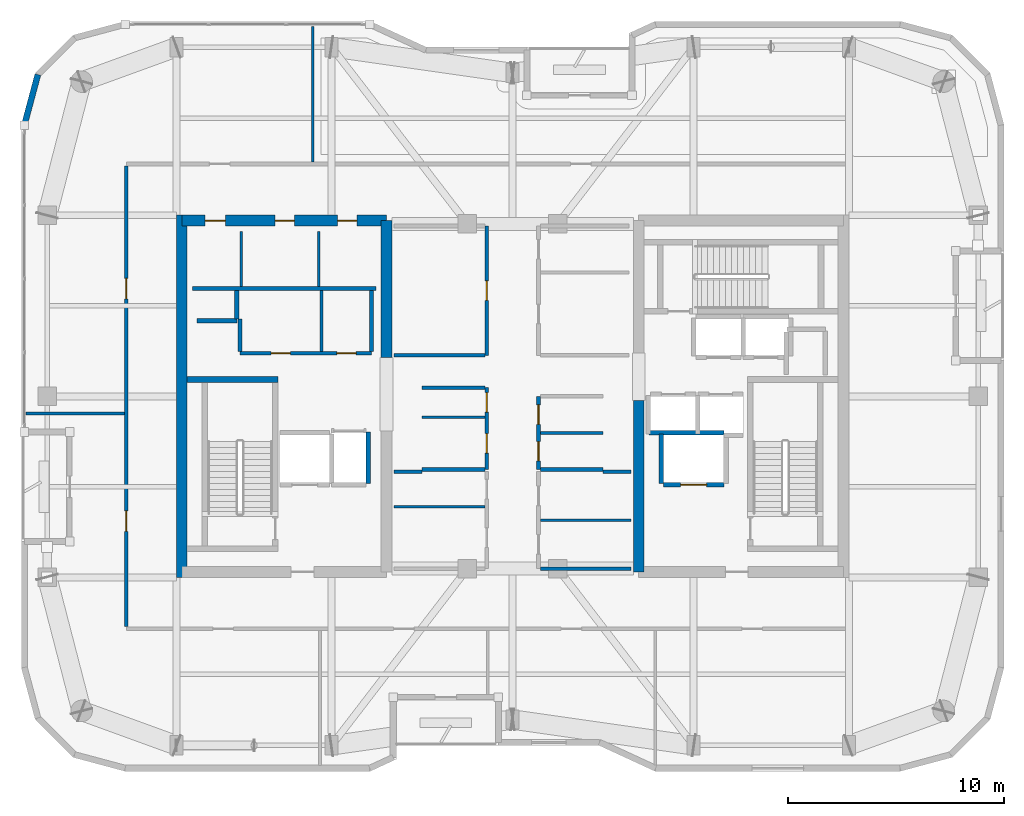
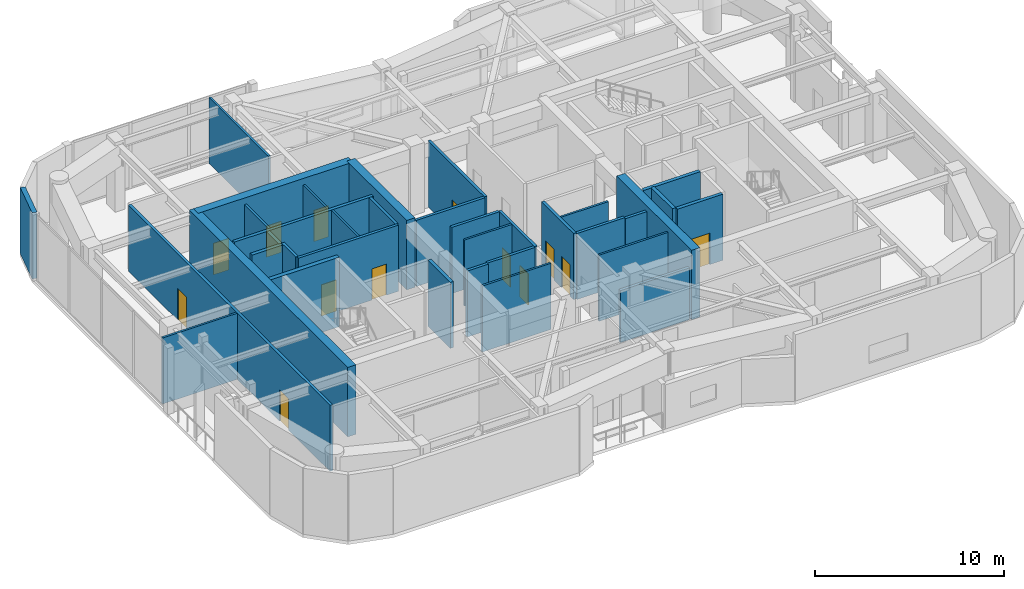
# One storey, part 11 of 16: 36 walls, 13 doors, 13 openings.
"""IFC4 building model written with IfcOpenShell, lengths in metres."""

from ifc_helpers import new_model, si_unit, direction, frame, frame_2d, origin, place, context, subcontext, project, spatial, rectangle, extrude, material, layer, layer_set, type_object, element, fill, save


model = new_model("IFC4")

# Units and contexts
model_context = context("Model", 3, precision=1e-05, world=origin(), true_north=direction((0.0, 1.0)))
body_context = subcontext(model_context, "Body", "Model", "MODEL_VIEW")
ifc_project = project(units=[si_unit("LENGTHUNIT", "METRE"), si_unit("AREAUNIT", "SQUARE_METRE"), si_unit("VOLUMEUNIT", "CUBIC_METRE"), si_unit("PLANEANGLEUNIT", "RADIAN"), si_unit("MASSUNIT", "GRAM", prefix="KILO")], contexts=[model_context])

# Site, building, storey
site_placement = place(None, origin())
site = spatial("IfcSite", under=ifc_project, at=site_placement, CompositionType="ELEMENT")
building_placement = place(site_placement, origin())
building = spatial("IfcBuilding", under=site, at=building_placement, Name="Kiyonajd Concourse Tower", CompositionType="ELEMENT")
storey_placement = place(building_placement, frame((0.0, 0.0, 337.5)))
storey = spatial("IfcBuildingStorey", under=building, at=storey_placement, Name="L85", CompositionType="ELEMENT", Elevation=337.5)

# Walls
ifc_material_1 = material(Name="Concrete C60/75", Category="concrete")
ifc_layer_1 = layer(ifc_material_1, 0.5)
ifc_layer_set_1 = layer_set([ifc_layer_1], Name="Concrete C60/75")
wall_type_1 = type_object("IfcWallType", Name="WL-CORE-500", PredefinedType="SHEAR", material=ifc_layer_set_1)
wall_1_placement = place(storey_placement, frame((32.64990234375, 27.60009765625, 0.0), z_axis=(0.0, 0.0, 1.0), x_axis=(0.0, 1.0, 0.0)))
element("IfcWall", 1, at=wall_1_placement, inside=storey, type_object=wall_type_1, Name="L85 West Core Outer Shear Wall", PredefinedType="SHEAR", context=body_context, shape_type="SweptSolid", body=[
    extrude(rectangle(XDim=16.7998046875, YDim=0.5, at=frame_2d((8.39990234375, 0.0))), origin(), (0.0, 0.0, 1.0), 4.5),
])
wall_2_placement = place(storey_placement, frame((42.14990234375, 37.800048828125, 0.0), z_axis=(0.0, 0.0, 1.0), x_axis=(0.0, 1.0, 0.0)))
element("IfcWall", 2, at=wall_2_placement, inside=storey, type_object=wall_type_1, Name="L85 West Core Inner North Shear Wall", PredefinedType="SHEAR", context=body_context, shape_type="SweptSolid", body=[
    extrude(rectangle(XDim=6.349853515625, YDim=0.5, at=frame_2d((3.1748046875, 0.0))), origin(), (0.0, 0.0, 1.0), 4.5),
])

# Wall, openings, doors
wall_3_placement = place(storey_placement, frame((32.64990234375, 44.14990234375, 0.0), z_axis=(0.0, 0.0, 1.0), x_axis=(1.0, 0.0, 0.0)))
wall_3 = element("IfcWall", 3, at=wall_3_placement, inside=storey, type_object=wall_type_1, Name="L85 West Core North Shear Wall", PredefinedType="SHEAR", context=body_context, shape_type="SweptSolid", body=[
    extrude(rectangle(XDim=9.5, YDim=0.5, at=frame_2d((4.75, 0.0))), origin(), (0.0, 0.0, 1.0), 4.5),
])
opening_1_placement = place(wall_3_placement, frame((1.074951171875, 0.0, 0.0)))
opening_1 = element("IfcOpeningElement", 4, at=opening_1_placement, cuts=wall_3, Name="Opening DI1", PredefinedType="OPENING", context=body_context, shape_type="SweptSolid", body=[
    extrude(rectangle(XDim=0.949951171875, YDim=2.0400390625, at=frame_2d((0.47509765625, 1.02001953125))), frame((0.0, 0.260009765625, 0.0), z_axis=(0.0, -1.0, 0.0), x_axis=(1.0, 0.0, 0.0)), (0.0, 0.0, 1.0), 0.52001953125),
])
opening_2_placement = place(wall_3_placement, frame((4.324951171875, 0.0, 0.0)))
opening_2 = element("IfcOpeningElement", 5, at=opening_2_placement, cuts=wall_3, Name="Opening DI2", PredefinedType="OPENING", context=body_context, shape_type="SweptSolid", body=[
    extrude(rectangle(XDim=0.89990234375, YDim=2.02001953125, at=frame_2d((0.449951171875, 1.010009765625))), frame((0.0, 0.260009765625, 0.0), z_axis=(0.0, -1.0, 0.0), x_axis=(1.0, 0.0, 0.0)), (0.0, 0.0, 1.0), 0.52001953125),
])
opening_3_placement = place(wall_3_placement, frame((7.22509765625, 0.0, 0.0)))
opening_3 = element("IfcOpeningElement", 6, at=opening_3_placement, cuts=wall_3, Name="Opening DI2", PredefinedType="OPENING", context=body_context, shape_type="SweptSolid", body=[
    extrude(rectangle(XDim=0.89990234375, YDim=2.02001953125, at=frame_2d((0.449951171875, 1.010009765625))), frame((0.0, 0.260009765625, 0.0), z_axis=(0.0, -1.0, 0.0), x_axis=(1.0, 0.0, 0.0)), (0.0, 0.0, 1.0), 0.52001953125),
])
ifc_material_2 = material(Name="Natural Oak Acoustic Timber Veneer", Category="wood")
door_type_1 = type_object("IfcDoorType", Name="DR-INT-900", OperationType="NOTDEFINED", PredefinedType="DOOR", material=ifc_material_2)
door_1_placement = place(opening_2_placement, origin())
door_1 = element("IfcDoor", 7, at=door_1_placement, inside=storey, type_object=door_type_1, Name="L85 Male Restroom Door", OperationType="SINGLE_SWING_RIGHT", OverallHeight=2.02001953125, OverallWidth=0.89990234375, PredefinedType="DOOR", context=body_context, shape_type="SweptSolid", body=[
    extrude(rectangle(XDim=0.89990234375, YDim=2.02001953125, at=frame_2d((0.449951171875, 1.010009765625))), frame((0.0, 0.02490234375, 0.0), z_axis=(0.0, -1.0, 0.0), x_axis=(1.0, 0.0, 0.0)), (0.0, 0.0, 1.0), 0.050048828125),
])
fill(opening_2, door_1)
door_2_placement = place(opening_3_placement, origin())
door_2 = element("IfcDoor", 8, at=door_2_placement, inside=storey, type_object=door_type_1, Name="L85 Female Restroom Door", OperationType="SINGLE_SWING_LEFT", OverallHeight=2.02001953125, OverallWidth=0.89990234375, PredefinedType="DOOR", context=body_context, shape_type="SweptSolid", body=[
    extrude(rectangle(XDim=0.89990234375, YDim=2.02001953125, at=frame_2d((0.449951171875, 1.010009765625))), frame((0.0, 0.02490234375, 0.0), z_axis=(0.0, -1.0, 0.0), x_axis=(1.0, 0.0, 0.0)), (0.0, 0.0, 1.0), 0.050048828125),
])
fill(opening_3, door_2)
door_type_2 = type_object("IfcDoorType", Name="DR-INT-950", OperationType="NOTDEFINED", PredefinedType="DOOR", material=ifc_material_2)
door_3_placement = place(opening_1_placement, origin())
door_3 = element("IfcDoor", 9, at=door_3_placement, inside=storey, type_object=door_type_2, Name="L85 Single User Accessible WC Door", OperationType="SINGLE_SWING_LEFT", OverallHeight=2.0400390625, OverallWidth=0.949951171875, PredefinedType="DOOR", context=body_context, shape_type="SweptSolid", body=[
    extrude(rectangle(XDim=0.949951171875, YDim=2.0400390625, at=frame_2d((0.47509765625, 1.02001953125))), frame((0.0, 0.02490234375, 0.0), z_axis=(0.0, -1.0, 0.0), x_axis=(1.0, 0.0, 0.0)), (0.0, 0.0, 1.0), 0.050048828125),
])
fill(opening_1, door_3)

# Walls
wall_4_placement = place(storey_placement, frame((53.85009765625, 27.85009765625, 0.0), z_axis=(0.0, 0.0, 1.0), x_axis=(0.0, 1.0, 0.0)))
element("IfcWall", 10, at=wall_4_placement, inside=storey, type_object=wall_type_1, Name="L85 East Core Inner South Shear Wall", PredefinedType="SHEAR", context=body_context, shape_type="SweptSolid", body=[
    extrude(rectangle(XDim=7.949951171875, YDim=0.5, at=frame_2d((3.97509765625, 0.0))), origin(), (0.0, 0.0, 1.0), 4.5),
])
ifc_material_3 = material(Name="Precast concrete C50/60", Category="concrete")
ifc_layer_2 = layer(ifc_material_3, 0.280029296875)
ifc_layer_set_2 = layer_set([ifc_layer_2], Name="Precast concrete C50/60")
wall_type_2 = type_object("IfcWallType", Name="WL-EXT-280", PredefinedType="SOLIDWALL", material=ifc_layer_set_2)
wall_5_placement = place(storey_placement, frame((25.340087890625, 48.58154296875, 0.0), z_axis=(0.0, 0.0, 1.0), x_axis=(0.258751159445, 0.965944013639, 0.0)))
element("IfcWall", 11, at=wall_5_placement, inside=storey, type_object=wall_type_2, Name="L85 Exterior Concrete Frame Wall 06", PredefinedType="SOLIDWALL", context=body_context, shape_type="SweptSolid", body=[
    extrude(rectangle(XDim=2.4287109375, YDim=0.280029296875, at=frame_2d((1.21435546875, 0.0))), origin(), (0.0, 0.0, 1.0), 4.280029296875),
])
ifc_material_4 = material(Name="Gypsum Board on Cold-Formed Steel Stud", Category="steel")
ifc_layer_3 = layer(ifc_material_4, 0.125)
ifc_layer_set_3 = layer_set([ifc_layer_3], Name="Gypsum Board on Cold-Formed Steel Stud")
wall_type_3 = type_object("IfcWallType", Name="WL-PART-125", PredefinedType="PARTITIONING", material=ifc_layer_set_3)
for number, where, z_axis, x_axis, name in (
    (12, (35.39990234375, 41.094970703125, 0.0), (0.0, 0.0, 1.0), (0.0, 1.0, 0.0), "L85 Interior Partition Wall"),
    (13, (39.0, 41.094970703125, 0.0), (0.0, 0.0, 1.0), (0.0, 1.0, 0.0), "L85 Interior Partition Wall"),
):
    element("IfcWall", number, at=place(storey_placement, frame(where, z_axis=z_axis, x_axis=x_axis)), inside=storey, type_object=wall_type_3, Name=name, PredefinedType="PARTITIONING", context=body_context, shape_type="SweptSolid", body=[
        extrude(rectangle(XDim=2.554931640625, YDim=0.125, at=frame_2d((1.27734375, 0.0))), origin(), (0.0, 0.0, 1.0), 4.280029296875),
    ])
wall_6_placement = place(storey_placement, frame((39.132080078125, 38.0869140625, 0.0), z_axis=(0.0, 0.0, 1.0), x_axis=(0.0, 1.0, 0.0)))
element("IfcWall", 14, at=wall_6_placement, inside=storey, type_object=wall_type_3, Name="L85 Interior Partition Wall", PredefinedType="PARTITIONING", context=body_context, shape_type="SweptSolid", body=[
    extrude(rectangle(XDim=2.81298828125, YDim=0.125, at=frame_2d((1.406494140625, 0.0))), origin(), (0.0, 0.0, 1.0), 4.280029296875),
])
for number, where, z_axis, x_axis, name in (
    (15, (43.800048828125, 35.031982421875, 0.0), (0.0, 0.0, 1.0), (1.0, 0.0, 0.0), "L85 Interior Partition Wall"),
    (16, (49.287109375, 34.300048828125, 0.0), (0.0, 0.0, 1.0), (1.0, 0.0, 0.0), "L85 Interior Partition Wall"),
):
    element("IfcWall", number, at=place(storey_placement, frame(where, z_axis=z_axis, x_axis=x_axis)), inside=storey, type_object=wall_type_3, Name=name, PredefinedType="PARTITIONING", context=body_context, shape_type="SweptSolid", body=[
        extrude(rectangle(XDim=2.912841796875, YDim=0.125, at=frame_2d((1.45654296875, 0.0))), origin(), (0.0, 0.0, 1.0), 4.280029296875),
    ])
for number, where, z_axis, x_axis, name in (
    (17, (42.5, 30.8798828125, 0.0), (0.0, 0.0, 1.0), (1.0, 0.0, 0.0), "L85 Interior Partition Wall"),
    (18, (49.287109375, 30.25, 0.0), (0.0, 0.0, 1.0), (1.0, 0.0, 0.0), "L85 Interior Partition Wall"),
):
    element("IfcWall", number, at=place(storey_placement, frame(where, z_axis=z_axis, x_axis=x_axis)), inside=storey, type_object=wall_type_3, Name=name, PredefinedType="PARTITIONING", context=body_context, shape_type="SweptSolid", body=[
        extrude(rectangle(XDim=4.212890625, YDim=0.125, at=frame_2d((2.1064453125, 0.0))), origin(), (0.0, 0.0, 1.0), 4.280029296875),
    ])
wall_7_placement = place(storey_placement, frame((38.72998046875, 46.866943359375, 0.0), z_axis=(0.0, 0.0, 1.0), x_axis=(0.0, 1.0, 0.0)))
element("IfcWall", 19, at=wall_7_placement, inside=storey, type_object=wall_type_3, Name="L85 Interior Partition Wall", PredefinedType="PARTITIONING", context=body_context, shape_type="SweptSolid", body=[
    extrude(rectangle(XDim=6.298095703125, YDim=0.125, at=frame_2d((3.14892578125, 0.0))), origin(), (0.0, 0.0, 1.0), 4.280029296875),
])
wall_8_placement = place(storey_placement, frame((25.425048828125, 35.199951171875, 0.0), z_axis=(0.0, 0.0, 1.0), x_axis=(1.0, 0.0, 0.0)))
element("IfcWall", 20, at=wall_8_placement, inside=storey, type_object=wall_type_3, Name="L85 Interior Partition Wall", PredefinedType="PARTITIONING", context=body_context, shape_type="SweptSolid", body=[
    extrude(rectangle(XDim=4.56298828125, YDim=0.125, at=frame_2d((2.281494140625, 0.0))), origin(), (0.0, 0.0, 1.0), 4.280029296875),
])
ifc_layer_4 = layer(ifc_material_4, 0.18994140625)
ifc_layer_set_4 = layer_set([ifc_layer_4], Name="Gypsum Board on Cold-Formed Steel Stud")
wall_type_4 = type_object("IfcWallType", Name="WL-PLMB-190", PredefinedType="PLUMBINGWALL", material=ifc_layer_set_4)
wall_9_placement = place(storey_placement, frame((33.14990234375, 41.0, 0.0), z_axis=(0.0, 0.0, 1.0), x_axis=(1.0, 0.0, 0.0)))
element("IfcWall", 21, at=wall_9_placement, inside=storey, type_object=wall_type_4, Name="L85 Interior Partition Wall", PredefinedType="PLUMBINGWALL", context=body_context, shape_type="SweptSolid", body=[
    extrude(rectangle(XDim=8.5, YDim=0.18994140625, at=frame_2d((4.25, 0.0))), origin(), (0.0, 0.0, 1.0), 4.280029296875),
])
ifc_layer_5 = layer(ifc_material_4, 0.2099609375)
ifc_layer_set_5 = layer_set([ifc_layer_5], Name="Gypsum Board on Cold-Formed Steel Stud")
wall_type_5 = type_object("IfcWallType", Name="WL-SHAFT-210", PredefinedType="PARTITIONING", material=ifc_layer_set_5)
wall_10_placement = place(storey_placement, frame((33.360107421875, 39.5, 0.0), z_axis=(0.0, 0.0, 1.0), x_axis=(1.0, 0.0, 0.0)))
element("IfcWall", 22, at=wall_10_placement, inside=storey, type_object=wall_type_5, Name="L85 Shaft Enclosure Wall", PredefinedType="PARTITIONING", context=body_context, shape_type="SweptSolid", body=[
    extrude(rectangle(XDim=1.85986328125, YDim=0.2099609375, at=frame_2d((0.929931640625, 0.0))), origin(), (0.0, 0.0, 1.0), 4.280029296875),
])
wall_11_placement = place(storey_placement, frame((35.199951171875, 39.580078125, 0.0), z_axis=(0.0, 0.0, 1.0), x_axis=(0.0, 1.0, 0.0)))
element("IfcWall", 23, at=wall_11_placement, inside=storey, type_object=wall_type_5, Name="L85 Shaft Enclosure Wall", PredefinedType="PARTITIONING", context=body_context, shape_type="SweptSolid", body=[
    extrude(rectangle(XDim=1.31982421875, YDim=0.2099609375, at=frame_2d((0.659912109375, 0.0))), origin(), (0.0, 0.0, 1.0), 4.280029296875),
])

# Wall, opening, door
wall_12_placement = place(storey_placement, frame((55.0, 31.89990234375, 0.0), z_axis=(0.0, 0.0, 1.0), x_axis=(1.0, 0.0, 0.0)))
wall_12 = element("IfcWall", 24, at=wall_12_placement, inside=storey, type_object=wall_type_5, Name="L85 Shaft Enclosure Wall", PredefinedType="PARTITIONING", context=body_context, shape_type="SweptSolid", body=[
    extrude(rectangle(XDim=2.800048828125, YDim=0.2099609375, at=frame_2d((1.39990234375, 0.0))), origin(), (0.0, 0.0, 1.0), 4.280029296875),
])
opening_4_placement = place(wall_12_placement, frame((0.800048828125, 0.0, 0.0)))
opening_4 = element("IfcOpeningElement", 25, at=opening_4_placement, cuts=wall_12, Name="Opening LD2", PredefinedType="OPENING", context=body_context, shape_type="SweptSolid", body=[
    extrude(rectangle(XDim=1.199951171875, YDim=2.0400390625, at=frame_2d((0.60009765625, 1.02001953125))), frame((0.0, 0.114990234375, 0.0), z_axis=(0.0, -1.0, 0.0), x_axis=(1.0, 0.0, 0.0)), (0.0, 0.0, 1.0), 0.22998046875),
])
ifc_material_5 = material(Name="Brushed Stainless Steel Cab Assembly", Category="steel")
door_type_3 = type_object("IfcDoorType", Name="DR-LD-1200", OperationType="DOUBLE_DOOR_SLIDING", PredefinedType="DOOR", material=ifc_material_5)
door_4_placement = place(opening_4_placement, origin())
door_4 = element("IfcDoor", 26, at=door_4_placement, inside=storey, type_object=door_type_3, Name="L85 Lift FFL2 Sliding Landing Door", OperationType="DOUBLE_DOOR_SLIDING", OverallHeight=2.0400390625, OverallWidth=1.199951171875, PredefinedType="DOOR", context=body_context, shape_type="SweptSolid", body=[
    extrude(rectangle(XDim=1.199951171875, YDim=2.0400390625, at=frame_2d((0.60009765625, 1.02001953125))), frame((0.0, 0.02490234375, 0.0), z_axis=(0.0, -1.0, 0.0), x_axis=(1.0, 0.0, 0.0)), (0.0, 0.0, 1.0), 0.050048828125),
])
fill(opening_4, door_4)

# Walls
wall_13_placement = place(storey_placement, frame((54.320068359375, 34.300048828125, 0.0), z_axis=(0.0, 0.0, 1.0), x_axis=(1.0, 0.0, 0.0)))
element("IfcWall", 27, at=wall_13_placement, inside=storey, type_object=wall_type_5, Name="L85 Shaft Enclosure Wall", PredefinedType="PARTITIONING", context=body_context, shape_type="SweptSolid", body=[
    extrude(rectangle(XDim=3.47998046875, YDim=0.2099609375, at=frame_2d((1.739990234375, 0.0))), origin(), (0.0, 0.0, 1.0), 4.280029296875),
])
wall_14_placement = place(storey_placement, frame((54.89990234375, 31.9599609375, 0.0), z_axis=(0.0, 0.0, 1.0), x_axis=(0.0, 1.0, 0.0)))
element("IfcWall", 28, at=wall_14_placement, inside=storey, type_object=wall_type_5, Name="L85 Shaft Enclosure Wall", PredefinedType="PARTITIONING", context=body_context, shape_type="SweptSolid", body=[
    extrude(rectangle(XDim=2.280029296875, YDim=0.2099609375, at=frame_2d((1.14013671875, 0.0))), origin(), (0.0, 0.0, 1.0), 4.280029296875),
])
wall_15_placement = place(storey_placement, frame((41.300048828125, 31.9599609375, 0.0), z_axis=(0.0, 0.0, 1.0), x_axis=(0.0, 1.0, 0.0)))
element("IfcWall", 29, at=wall_15_placement, inside=storey, type_object=wall_type_5, Name="L85 Shaft Enclosure Wall", PredefinedType="PARTITIONING", context=body_context, shape_type="SweptSolid", body=[
    extrude(rectangle(XDim=2.380126953125, YDim=0.2099609375, at=frame_2d((1.18994140625, 0.0))), origin(), (0.0, 0.0, 1.0), 4.280029296875),
])

# Wall, openings, doors
ifc_layer_6 = layer(ifc_material_4, 0.169921875)
ifc_layer_set_6 = layer_set([ifc_layer_6], Name="Gypsum Board on Cold-Formed Steel Stud")
wall_type_6 = type_object("IfcWallType", Name="WL-SMK-170", PredefinedType="PARTITIONING", material=ifc_layer_set_6)
wall_16_placement = place(storey_placement, frame((35.35009765625, 38.0, 0.0), z_axis=(0.0, 0.0, 1.0), x_axis=(1.0, 0.0, 0.0)))
wall_16 = element("IfcWall", 30, at=wall_16_placement, inside=storey, type_object=wall_type_6, Name="L85 Interior Partition Wall", PredefinedType="PARTITIONING", context=body_context, shape_type="SweptSolid", body=[
    extrude(rectangle(XDim=6.099853515625, YDim=0.169921875, at=frame_2d((3.0498046875, 0.0))), origin(), (0.0, 0.0, 1.0), 4.280029296875),
])
opening_5_placement = place(wall_16_placement, frame((1.44091796875, 0.0, 0.0)))
opening_5 = element("IfcOpeningElement", 31, at=opening_5_placement, cuts=wall_16, Name="Opening DF4", PredefinedType="OPENING", context=body_context, shape_type="SweptSolid", body=[
    extrude(rectangle(XDim=0.89990234375, YDim=2.02001953125, at=frame_2d((0.449951171875, 1.010009765625))), frame((0.0, 0.094970703125, 0.0), z_axis=(0.0, -1.0, 0.0), x_axis=(1.0, 0.0, 0.0)), (0.0, 0.0, 1.0), 0.18994140625),
])
opening_6_placement = place(wall_16_placement, frame((4.490966796875, 0.0, 0.0)))
opening_6 = element("IfcOpeningElement", 32, at=opening_6_placement, cuts=wall_16, Name="Opening DF4", PredefinedType="OPENING", context=body_context, shape_type="SweptSolid", body=[
    extrude(rectangle(XDim=0.89990234375, YDim=2.02001953125, at=frame_2d((0.449951171875, 1.010009765625))), frame((0.0, 0.094970703125, 0.0), z_axis=(0.0, -1.0, 0.0), x_axis=(1.0, 0.0, 0.0)), (0.0, 0.0, 1.0), 0.18994140625),
])
door_type_4 = type_object("IfcDoorType", Name="DR-FD60-900", OperationType="NOTDEFINED", PredefinedType="DOOR", material=ifc_material_5)
door_5_placement = place(opening_5_placement, origin())
door_5 = element("IfcDoor", 33, at=door_5_placement, inside=storey, type_object=door_type_4, Name="L85 Interior Door", OperationType="SINGLE_SWING_LEFT", OverallHeight=2.02001953125, OverallWidth=0.89990234375, PredefinedType="DOOR", context=body_context, shape_type="SweptSolid", body=[
    extrude(rectangle(XDim=0.89990234375, YDim=2.02001953125, at=frame_2d((0.449951171875, 1.010009765625))), frame((0.0, 0.02490234375, 0.0), z_axis=(0.0, -1.0, 0.0), x_axis=(1.0, 0.0, 0.0)), (0.0, 0.0, 1.0), 0.050048828125),
])
fill(opening_5, door_5)
door_6_placement = place(opening_6_placement, origin())
door_6 = element("IfcDoor", 34, at=door_6_placement, inside=storey, type_object=door_type_4, Name="L85 Interior Door", OperationType="SINGLE_SWING_RIGHT", OverallHeight=2.02001953125, OverallWidth=0.89990234375, PredefinedType="DOOR", context=body_context, shape_type="SweptSolid", body=[
    extrude(rectangle(XDim=0.89990234375, YDim=2.02001953125, at=frame_2d((0.449951171875, 1.010009765625))), frame((0.0, 0.02490234375, 0.0), z_axis=(0.0, -1.0, 0.0), x_axis=(1.0, 0.0, 0.0)), (0.0, 0.0, 1.0), 0.050048828125),
])
fill(opening_6, door_6)

# Walls
wall_17_placement = place(storey_placement, frame((35.35009765625, 38.0869140625, 0.0), z_axis=(0.0, 0.0, 1.0), x_axis=(0.0, 1.0, 0.0)))
element("IfcWall", 35, at=wall_17_placement, inside=storey, type_object=wall_type_6, Name="L85 Interior Partition Wall", PredefinedType="PARTITIONING", context=body_context, shape_type="SweptSolid", body=[
    extrude(rectangle(XDim=1.4931640625, YDim=0.169921875, at=frame_2d((0.74658203125, 0.0))), origin(), (0.0, 0.0, 1.0), 4.280029296875),
])
wall_18_placement = place(storey_placement, frame((41.449951171875, 38.0869140625, 0.0), z_axis=(0.0, 0.0, 1.0), x_axis=(0.0, 1.0, 0.0)))
element("IfcWall", 36, at=wall_18_placement, inside=storey, type_object=wall_type_6, Name="L85 Interior Partition Wall", PredefinedType="PARTITIONING", context=body_context, shape_type="SweptSolid", body=[
    extrude(rectangle(XDim=2.81298828125, YDim=0.169921875, at=frame_2d((1.406494140625, 0.0))), origin(), (0.0, 0.0, 1.0), 4.280029296875),
])

# Wall, openings, doors
wall_19_placement = place(storey_placement, frame((46.800048828125, 32.60009765625, 0.0), z_axis=(0.0, 0.0, 1.0), x_axis=(0.0, 1.0, 0.0)))
wall_19 = element("IfcWall", 37, at=wall_19_placement, inside=storey, type_object=wall_type_6, Name="L85 Interior Partition Wall", PredefinedType="PARTITIONING", context=body_context, shape_type="SweptSolid", body=[
    extrude(rectangle(XDim=3.7998046875, YDim=0.169921875, at=frame_2d((1.89990234375, 0.0))), origin(), (0.0, 0.0, 1.0), 4.280029296875),
])
opening_7_placement = place(wall_19_placement, frame((0.76611328125, 0.0, 0.0)))
opening_7 = element("IfcOpeningElement", 38, at=opening_7_placement, cuts=wall_19, Name="Opening DF4", PredefinedType="OPENING", context=body_context, shape_type="SweptSolid", body=[
    extrude(rectangle(XDim=0.89990234375, YDim=2.02001953125, at=frame_2d((0.449951171875, 1.010009765625))), frame((0.0, 0.094970703125, 0.0), z_axis=(0.0, -1.0, 0.0), x_axis=(1.0, 0.0, 0.0)), (0.0, 0.0, 1.0), 0.18994140625),
])
opening_8_placement = place(wall_19_placement, frame((2.666015625, 0.0, 0.0)))
opening_8 = element("IfcOpeningElement", 39, at=opening_8_placement, cuts=wall_19, Name="Opening DF4", PredefinedType="OPENING", context=body_context, shape_type="SweptSolid", body=[
    extrude(rectangle(XDim=0.89990234375, YDim=2.02001953125, at=frame_2d((0.449951171875, 1.010009765625))), frame((0.0, 0.094970703125, 0.0), z_axis=(0.0, -1.0, 0.0), x_axis=(1.0, 0.0, 0.0)), (0.0, 0.0, 1.0), 0.18994140625),
])
door_7_placement = place(opening_7_placement, origin())
door_7 = element("IfcDoor", 40, at=door_7_placement, inside=storey, type_object=door_type_4, Name="L85 Interior Door", OperationType="SINGLE_SWING_LEFT", OverallHeight=2.02001953125, OverallWidth=0.89990234375, PredefinedType="DOOR", context=body_context, shape_type="SweptSolid", body=[
    extrude(rectangle(XDim=0.89990234375, YDim=2.02001953125, at=frame_2d((0.449951171875, 1.010009765625))), frame((0.0, 0.02490234375, 0.0), z_axis=(0.0, -1.0, 0.0), x_axis=(1.0, 0.0, 0.0)), (0.0, 0.0, 1.0), 0.050048828125),
])
fill(opening_7, door_7)
door_8_placement = place(opening_8_placement, origin())
door_8 = element("IfcDoor", 41, at=door_8_placement, inside=storey, type_object=door_type_4, Name="L85 Interior Door", OperationType="SINGLE_SWING_RIGHT", OverallHeight=2.02001953125, OverallWidth=0.89990234375, PredefinedType="DOOR", context=body_context, shape_type="SweptSolid", body=[
    extrude(rectangle(XDim=0.89990234375, YDim=2.02001953125, at=frame_2d((0.449951171875, 1.010009765625))), frame((0.0, 0.02490234375, 0.0), z_axis=(0.0, -1.0, 0.0), x_axis=(1.0, 0.0, 0.0)), (0.0, 0.0, 1.0), 0.050048828125),
])
fill(opening_8, door_8)

# Walls
for number, where, z_axis, x_axis, name in (
    (42, (43.800048828125, 32.60009765625, 0.0), (0.0, 0.0, 1.0), (1.0, 0.0, 0.0), "L85 Interior Partition Wall"),
    (43, (43.800048828125, 36.39990234375, 0.0), (0.0, 0.0, 1.0), (1.0, 0.0, 0.0), "L85 Interior Partition Wall"),
):
    element("IfcWall", number, at=place(storey_placement, frame(where, z_axis=z_axis, x_axis=x_axis)), inside=storey, type_object=wall_type_6, Name=name, PredefinedType="PARTITIONING", context=body_context, shape_type="SweptSolid", body=[
        extrude(rectangle(XDim=2.912841796875, YDim=0.169921875, at=frame_2d((1.45654296875, 0.0))), origin(), (0.0, 0.0, 1.0), 4.280029296875),
    ])

# Wall, openings, doors
wall_20_placement = place(storey_placement, frame((49.199951171875, 32.60009765625, 0.0), z_axis=(0.0, 0.0, 1.0), x_axis=(0.0, 1.0, 0.0)))
wall_20 = element("IfcWall", 44, at=wall_20_placement, inside=storey, type_object=wall_type_6, Name="L85 Interior Partition Wall", PredefinedType="PARTITIONING", context=body_context, shape_type="SweptSolid", body=[
    extrude(rectangle(XDim=3.39990234375, YDim=0.169921875, at=frame_2d((1.699951171875, 0.0))), origin(), (0.0, 0.0, 1.0), 4.280029296875),
])
opening_9_placement = place(wall_20_placement, frame((0.39990234375, 0.0, 0.0)))
opening_9 = element("IfcOpeningElement", 45, at=opening_9_placement, cuts=wall_20, Name="Opening DI2", PredefinedType="OPENING", context=body_context, shape_type="SweptSolid", body=[
    extrude(rectangle(XDim=0.89990234375, YDim=2.02001953125, at=frame_2d((0.449951171875, 1.010009765625))), frame((0.0, 0.094970703125, 0.0), z_axis=(0.0, -1.0, 0.0), x_axis=(1.0, 0.0, 0.0)), (0.0, 0.0, 1.0), 0.18994140625),
])
opening_10_placement = place(wall_20_placement, frame((2.10009765625, 0.0, 0.0)))
opening_10 = element("IfcOpeningElement", 46, at=opening_10_placement, cuts=wall_20, Name="Opening DI2", PredefinedType="OPENING", context=body_context, shape_type="SweptSolid", body=[
    extrude(rectangle(XDim=0.89990234375, YDim=2.02001953125, at=frame_2d((0.449951171875, 1.010009765625))), frame((0.0, 0.094970703125, 0.0), z_axis=(0.0, -1.0, 0.0), x_axis=(1.0, 0.0, 0.0)), (0.0, 0.0, 1.0), 0.18994140625),
])
door_9_placement = place(opening_9_placement, origin())
door_9 = element("IfcDoor", 47, at=door_9_placement, inside=storey, type_object=door_type_1, Name="L85 Interior Door", OperationType="SINGLE_SWING_LEFT", OverallHeight=2.02001953125, OverallWidth=0.89990234375, PredefinedType="DOOR", context=body_context, shape_type="SweptSolid", body=[
    extrude(rectangle(XDim=0.89990234375, YDim=2.02001953125, at=frame_2d((0.449951171875, 1.010009765625))), frame((0.0, 0.02490234375, 0.0), z_axis=(0.0, -1.0, 0.0), x_axis=(1.0, 0.0, 0.0)), (0.0, 0.0, 1.0), 0.050048828125),
])
fill(opening_9, door_9)
door_10_placement = place(opening_10_placement, origin())
door_10 = element("IfcDoor", 48, at=door_10_placement, inside=storey, type_object=door_type_1, Name="L85 Interior Door", OperationType="SINGLE_SWING_RIGHT", OverallHeight=2.02001953125, OverallWidth=0.89990234375, PredefinedType="DOOR", context=body_context, shape_type="SweptSolid", body=[
    extrude(rectangle(XDim=0.89990234375, YDim=2.02001953125, at=frame_2d((0.449951171875, 1.010009765625))), frame((0.0, 0.02490234375, 0.0), z_axis=(0.0, -1.0, 0.0), x_axis=(1.0, 0.0, 0.0)), (0.0, 0.0, 1.0), 0.050048828125),
])
fill(opening_10, door_10)

# Walls
wall_21_placement = place(storey_placement, frame((49.287109375, 32.60009765625, 0.0), z_axis=(0.0, 0.0, 1.0), x_axis=(1.0, 0.0, 0.0)))
element("IfcWall", 49, at=wall_21_placement, inside=storey, type_object=wall_type_6, Name="L85 Interior Partition Wall", PredefinedType="PARTITIONING", context=body_context, shape_type="SweptSolid", body=[
    extrude(rectangle(XDim=2.912841796875, YDim=0.169921875, at=frame_2d((1.45654296875, 0.0))), origin(), (0.0, 0.0, 1.0), 4.280029296875),
])
wall_22_placement = place(storey_placement, frame((42.5, 32.5, 0.0), z_axis=(0.0, 0.0, 1.0), x_axis=(1.0, 0.0, 0.0)))
element("IfcWall", 50, at=wall_22_placement, inside=storey, type_object=wall_type_6, Name="L85 Interior Partition Wall", PredefinedType="PARTITIONING", context=body_context, shape_type="SweptSolid", body=[
    extrude(rectangle(XDim=1.300048828125, YDim=0.169921875, at=frame_2d((0.64990234375, 0.0))), origin(), (0.0, 0.0, 1.0), 4.280029296875),
])
wall_23_placement = place(storey_placement, frame((49.287109375, 28.0, 0.0), z_axis=(0.0, 0.0, 1.0), x_axis=(1.0, 0.0, 0.0)))
element("IfcWall", 51, at=wall_23_placement, inside=storey, type_object=wall_type_6, Name="L85 Interior Partition Wall", PredefinedType="PARTITIONING", context=body_context, shape_type="SweptSolid", body=[
    extrude(rectangle(XDim=4.212890625, YDim=0.169921875, at=frame_2d((2.1064453125, 0.0))), origin(), (0.0, 0.0, 1.0), 3.364990234375),
])
wall_24_placement = place(storey_placement, frame((52.199951171875, 32.5, 0.0), z_axis=(0.0, 0.0, 1.0), x_axis=(1.0, 0.0, 0.0)))
element("IfcWall", 52, at=wall_24_placement, inside=storey, type_object=wall_type_6, Name="L85 Interior Partition Wall", PredefinedType="PARTITIONING", context=body_context, shape_type="SweptSolid", body=[
    extrude(rectangle(XDim=1.300048828125, YDim=0.169921875, at=frame_2d((0.64990234375, 0.0))), origin(), (0.0, 0.0, 1.0), 4.280029296875),
])

# Wall, opening, door
wall_25_placement = place(storey_placement, frame((46.800048828125, 37.89990234375, 0.0), z_axis=(0.0, 0.0, 1.0), x_axis=(0.0, 1.0, 0.0)))
wall_25 = element("IfcWall", 53, at=wall_25_placement, inside=storey, type_object=wall_type_6, Name="L85 Interior Partition Wall", PredefinedType="PARTITIONING", context=body_context, shape_type="SweptSolid", body=[
    extrude(rectangle(XDim=6.0, YDim=0.169921875, at=frame_2d((3.0, 0.0))), origin(), (0.0, 0.0, 1.0), 4.280029296875),
])
opening_11_placement = place(wall_25_placement, frame((2.550048828125, 0.0, 0.0)))
opening_11 = element("IfcOpeningElement", 54, at=opening_11_placement, cuts=wall_25, Name="Opening DI2", PredefinedType="OPENING", context=body_context, shape_type="SweptSolid", body=[
    extrude(rectangle(XDim=0.89990234375, YDim=2.02001953125, at=frame_2d((0.449951171875, 1.010009765625))), frame((0.0, 0.094970703125, 0.0), z_axis=(0.0, -1.0, 0.0), x_axis=(1.0, 0.0, 0.0)), (0.0, 0.0, 1.0), 0.18994140625),
])
door_11_placement = place(opening_11_placement, origin())
door_11 = element("IfcDoor", 55, at=door_11_placement, inside=storey, type_object=door_type_1, Name="L85 Interior Door", OperationType="SINGLE_SWING_LEFT", OverallHeight=2.02001953125, OverallWidth=0.89990234375, PredefinedType="DOOR", context=body_context, shape_type="SweptSolid", body=[
    extrude(rectangle(XDim=0.89990234375, YDim=2.02001953125, at=frame_2d((0.449951171875, 1.010009765625))), frame((0.0, 0.02490234375, 0.0), z_axis=(0.0, -1.0, 0.0), x_axis=(1.0, 0.0, 0.0)), (0.0, 0.0, 1.0), 0.050048828125),
])
fill(opening_11, door_11)

# Wall
wall_26_placement = place(storey_placement, frame((42.5, 37.89990234375, 0.0), z_axis=(0.0, 0.0, 1.0), x_axis=(1.0, 0.0, 0.0)))
element("IfcWall", 56, at=wall_26_placement, inside=storey, type_object=wall_type_6, Name="L85 Interior Partition Wall", PredefinedType="PARTITIONING", context=body_context, shape_type="SweptSolid", body=[
    extrude(rectangle(XDim=4.212890625, YDim=0.169921875, at=frame_2d((2.1064453125, 0.0))), origin(), (0.0, 0.0, 1.0), 4.280029296875),
])

# Wall, openings, doors
wall_27_placement = place(storey_placement, frame((30.074951171875, 25.306884765625, 0.0), z_axis=(0.0, 0.0, 1.0), x_axis=(0.0, 1.0, 0.0)))
wall_27 = element("IfcWall", 57, at=wall_27_placement, inside=storey, type_object=wall_type_6, Name="L85 Interior Partition Wall", PredefinedType="PARTITIONING", context=body_context, shape_type="SweptSolid", body=[
    extrude(rectangle(XDim=21.38623046875, YDim=0.169921875, at=frame_2d((10.693115234375, 0.0))), origin(), (0.0, 0.0, 1.0), 4.280029296875),
])
opening_12_placement = place(wall_27_placement, frame((4.427978515625, 0.0, 0.0)))
opening_12 = element("IfcOpeningElement", 58, at=opening_12_placement, cuts=wall_27, Name="Opening DI1", PredefinedType="OPENING", context=body_context, shape_type="SweptSolid", body=[
    extrude(rectangle(XDim=0.949951171875, YDim=2.0400390625, at=frame_2d((0.47509765625, 1.02001953125))), frame((0.0, 0.094970703125, 0.0), z_axis=(0.0, -1.0, 0.0), x_axis=(1.0, 0.0, 0.0)), (0.0, 0.0, 1.0), 0.18994140625),
])
opening_13_placement = place(wall_27_placement, frame((15.2080078125, 0.0, 0.0)))
opening_13 = element("IfcOpeningElement", 59, at=opening_13_placement, cuts=wall_27, Name="Opening DI1", PredefinedType="OPENING", context=body_context, shape_type="SweptSolid", body=[
    extrude(rectangle(XDim=0.949951171875, YDim=2.0400390625, at=frame_2d((0.47509765625, 1.02001953125))), frame((0.0, 0.094970703125, 0.0), z_axis=(0.0, -1.0, 0.0), x_axis=(1.0, 0.0, 0.0)), (0.0, 0.0, 1.0), 0.18994140625),
])
door_12_placement = place(opening_12_placement, origin())
door_12 = element("IfcDoor", 60, at=door_12_placement, inside=storey, type_object=door_type_2, Name="L85 Interior Door", OperationType="SINGLE_SWING_RIGHT", OverallHeight=2.0400390625, OverallWidth=0.949951171875, PredefinedType="DOOR", context=body_context, shape_type="SweptSolid", body=[
    extrude(rectangle(XDim=0.949951171875, YDim=2.0400390625, at=frame_2d((0.47509765625, 1.02001953125))), frame((0.0, 0.02490234375, 0.0), z_axis=(0.0, -1.0, 0.0), x_axis=(1.0, 0.0, 0.0)), (0.0, 0.0, 1.0), 0.050048828125),
])
fill(opening_12, door_12)
door_13_placement = place(opening_13_placement, origin())
door_13 = element("IfcDoor", 61, at=door_13_placement, inside=storey, type_object=door_type_2, Name="L85 Interior Door", OperationType="SINGLE_SWING_LEFT", OverallHeight=2.0400390625, OverallWidth=0.949951171875, PredefinedType="DOOR", context=body_context, shape_type="SweptSolid", body=[
    extrude(rectangle(XDim=0.949951171875, YDim=2.0400390625, at=frame_2d((0.47509765625, 1.02001953125))), frame((0.0, 0.02490234375, 0.0), z_axis=(0.0, -1.0, 0.0), x_axis=(1.0, 0.0, 0.0)), (0.0, 0.0, 1.0), 0.050048828125),
])
fill(opening_13, door_13)

# Wall
ifc_material_6 = material(Name="Concrete C50/60", Category="concrete")
ifc_layer_7 = layer(ifc_material_6, 0.260009765625)
ifc_layer_set_7 = layer_set([ifc_layer_7], Name="Concrete C50/60")
wall_type_7 = type_object("IfcWallType", Name="WL-STAIR-260", PredefinedType="SHEAR", material=ifc_layer_set_7)
wall_28_placement = place(storey_placement, frame((32.89990234375, 36.780029296875, 0.0), z_axis=(0.0, 0.0, 1.0), x_axis=(1.0, 0.0, 0.0)))
element("IfcWall", 62, at=wall_28_placement, inside=storey, type_object=wall_type_7, Name="L85 Stair ST1 Structural North Wall", PredefinedType="SHEAR", context=body_context, shape_type="SweptSolid", body=[
    extrude(rectangle(XDim=4.210205078125, YDim=0.260009765625, at=frame_2d((2.10498046875, 0.0))), origin(), (0.0, 0.0, 1.0), 4.5),
])

save(model, "model.ifc")
